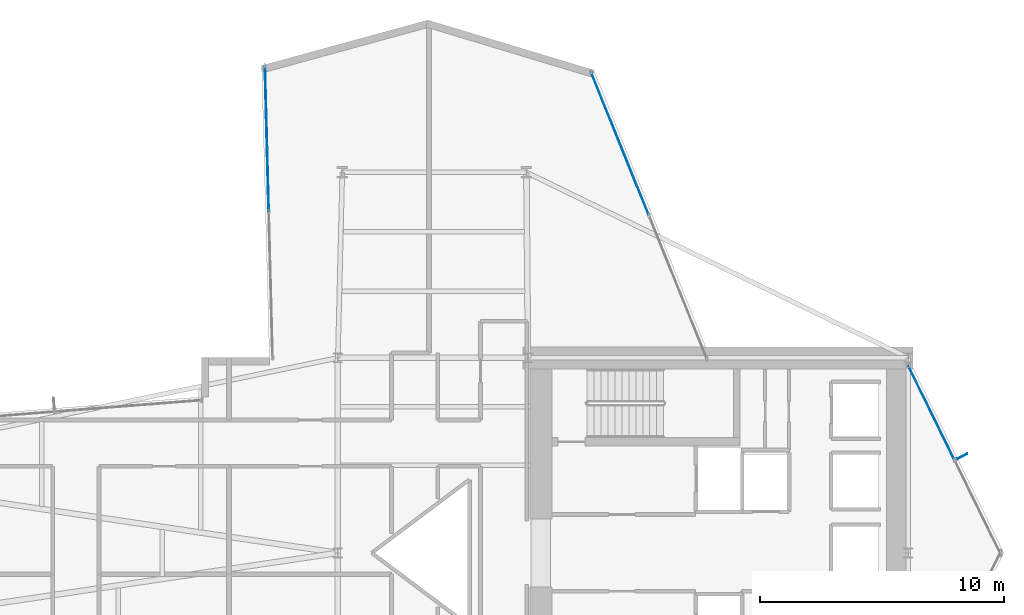
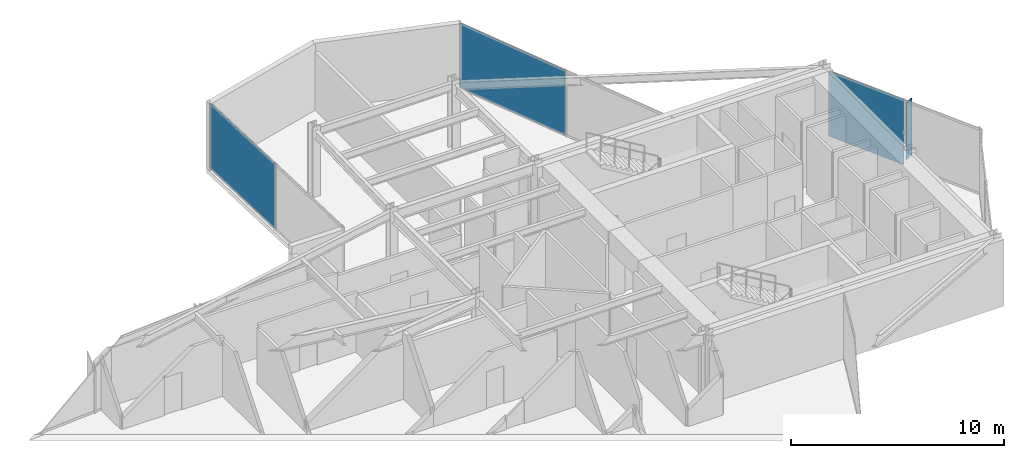
# One storey, part 26 of 30: 4 plates, 3 elements without a shape of their own.
"""IFC4 building model written with IfcOpenShell, lengths in metres."""

import ifcopenshell
import ifcopenshell.guid

model = None  # the IFC model being written
_history = None  # IfcOwnerHistory: only IFC2X3 demands one
_inside = {}  # id of a spatial element -> (the spatial element, [elements in it])
_under = {}  # id of a project, library or spatial element -> (it, [spatial elements below it])
_declared = {}  # id of a project -> (the project, [libraries it declares])
_typed = {}  # id of a type object -> (the type object, [elements of that type])
_made_of = {}  # id of a material, layer set ... -> (it, [elements and type objects made of it])


def new_model(schema):
    """Start an empty IFC model of exactly this schema.

    Asked for "IFC4X3", IfcOpenShell would pick the latest addendum, in which some entities
    have other attributes; the version numbers below select the first issue.
    IFC2X3 requires an IfcOwnerHistory on every rooted entity: one is made here for all.
    """
    global model, _history
    if schema == "IFC4X3":
        model = ifcopenshell.file(schema_version=(4, 3, 0, 0))
    else:
        model = ifcopenshell.file(schema=schema)
    _inside.clear()
    _under.clear()
    _declared.clear()
    _typed.clear()
    _made_of.clear()
    _history = None
    if model.schema == "IFC2X3":
        org = make("IfcOrganization", Name="unknown")
        user = make(
            "IfcPersonAndOrganization",
            ThePerson=make("IfcPerson", FamilyName="unknown"),
            TheOrganization=org,
        )
        app = make(
            "IfcApplication",
            ApplicationDeveloper=org,
            Version="unknown",
            ApplicationFullName="unknown",
            ApplicationIdentifier="unknown",
        )
        _history = make(
            "IfcOwnerHistory",
            OwningUser=user,
            OwningApplication=app,
            ChangeAction="ADDED",
            CreationDate=0,
        )
    return model


def make(cls, **values):
    """One entity of the class cls with the attributes given. An attribute that is None is left unset."""
    return model.create_entity(
        cls, **{name: value for name, value in values.items() if value is not None}
    )


def rooted(cls, **values):
    """An entity with a GlobalId (a new one), such as an element, a storey or a relation."""
    return make(cls, GlobalId=ifcopenshell.guid.new(), OwnerHistory=_history, **values)


def si_unit(unit_type, name, prefix=None):
    """IfcSIUnit, for example si_unit("LENGTHUNIT", "METRE", prefix="MILLI")."""
    return make("IfcSIUnit", UnitType=unit_type, Prefix=prefix, Name=name)


def assignment(units):
    """IfcUnitAssignment: the units of a project."""
    return None if units is None else make("IfcUnitAssignment", Units=units)


def point(xyz):
    """IfcCartesianPoint."""
    return None if xyz is None else make("IfcCartesianPoint", Coordinates=xyz)


def direction(xyz):
    """IfcDirection."""
    return None if xyz is None else make("IfcDirection", DirectionRatios=xyz)


def frame(location, z_axis=None, x_axis=None):
    """IfcAxis2Placement3D, a coordinate frame: its origin and axes. An axis left out is left unset."""
    return make(
        "IfcAxis2Placement3D",
        Location=point(location),
        Axis=direction(z_axis),
        RefDirection=direction(x_axis),
    )


def frame_2d(location, x_axis=None):
    """IfcAxis2Placement2D, a coordinate frame in the plane: its origin and x axis."""
    return make(
        "IfcAxis2Placement2D", Location=point(location), RefDirection=direction(x_axis)
    )


def origin():
    """The frame at (0, 0, 0) with its axes left unset."""
    return frame((0.0, 0.0, 0.0))


def origin_2d():
    """The frame at (0, 0) in the plane with its x axis left unset."""
    return frame_2d((0.0, 0.0))


def place(relative_to, where):
    """IfcLocalPlacement: puts the frame where relative to a parent placement (None: the world)."""
    return make(
        "IfcLocalPlacement", PlacementRelTo=relative_to, RelativePlacement=where
    )


def context(
    kind, dimensions, precision=None, world=None, true_north=None, identifier=None
):
    """IfcGeometricRepresentationContext, for example the 3D "Model" context."""
    return make(
        "IfcGeometricRepresentationContext",
        ContextIdentifier=identifier,
        ContextType=kind,
        CoordinateSpaceDimension=dimensions,
        Precision=precision,
        WorldCoordinateSystem=world,
        TrueNorth=true_north,
    )


def subcontext(parent, identifier, kind, view, scale=None):
    """IfcGeometricRepresentationSubContext, for example "Body" below "Model"."""
    return make(
        "IfcGeometricRepresentationSubContext",
        ContextIdentifier=identifier,
        ContextType=kind,
        ParentContext=parent,
        TargetScale=scale,
        TargetView=view,
    )


def project(units=None, contexts=None):
    """IfcProject with its units and contexts."""
    return rooted(
        "IfcProject",
        Name="project",
        RepresentationContexts=contexts,
        UnitsInContext=assignment(units),
    )


def spatial(cls, under=None, at=None, **own):
    """A site, building, storey or space (cls), placed at a placement, below another one or the project."""
    s = rooted(cls, ObjectPlacement=at, **own)
    if under is not None:
        _under.setdefault(under.id(), (under, []))[1].append(s)
    return s


def profile(cls, at=None, kind="AREA", **sizes):
    """A parametric profile (cls). Its sizes go by their IFC names, for example OverallWidth=200.0."""
    return make(cls, ProfileType=kind, Position=at, **sizes)


def rectangle(**sizes):
    """IfcRectangleProfileDef."""
    return profile("IfcRectangleProfileDef", **sizes)


def extrude(swept, where, along, depth):
    """IfcExtrudedAreaSolid: the profile swept, set in the frame where, extruded along a direction by depth."""
    return make(
        "IfcExtrudedAreaSolid",
        SweptArea=swept,
        Position=where,
        ExtrudedDirection=direction(along),
        Depth=depth,
    )


def shape(context_of_items, identifier, shape_type, items):
    """IfcShapeRepresentation: the items that make up one representation, for example the "Body"."""
    return make(
        "IfcShapeRepresentation",
        ContextOfItems=context_of_items,
        RepresentationIdentifier=identifier,
        RepresentationType=shape_type,
        Items=items,
    )


def material(Name=None, Category=None):
    """IfcMaterial."""
    return make("IfcMaterial", Name=Name, Category=Category)


def layer(
    of_material, thickness, ventilated=None, Name=None, Category=None, Priority=None
):
    """IfcMaterialLayer: one layer of a wall or slab, of a material (None: an air gap)."""
    return make(
        "IfcMaterialLayer",
        Material=of_material,
        LayerThickness=thickness,
        IsVentilated=ventilated,
        Name=Name,
        Category=Category,
        Priority=Priority,
    )


def layer_set(layers, Name=None):
    """IfcMaterialLayerSet."""
    return make("IfcMaterialLayerSet", MaterialLayers=layers, LayerSetName=Name)


def made_of(thing, what):
    """Note that an element or type object is made of a material, layer set ...; save() writes the relation."""
    if what is not None:
        _made_of.setdefault(what.id(), (what, []))[1].append(thing)
    return thing


def type_object(cls, material=None, **own):
    """A type object (cls), such as IfcWallType, which elements share."""
    return made_of(rooted(cls, **own), material)


def element(
    cls,
    number,
    at=None,
    inside=None,
    cuts=None,
    type_object=None,
    material=None,
    context=None,
    identifier="Body",
    shape_type=None,
    held_by="IfcProductDefinitionShape",
    body=None,
    shapes=None,
    **own,
):
    """One element of the class cls, such as IfcWall. Its Tag is "e" and its number.

    at: its placement. inside: the storey or other place that contains it. cuts: it is an
    opening in that element (IfcRelVoidsElement). A single representation is given by context,
    identifier, shape_type and body (its items); several are given by shapes. held_by: the class
    of the entity that holds the representations. save() writes the other relations.
    """
    e = rooted(cls, Tag="e%d" % number, ObjectPlacement=at, **own)
    if body is not None:
        shapes = [shape(context, identifier, shape_type, body)]
    if shapes is not None:
        e.Representation = make(held_by, Representations=shapes)
    if inside is not None:
        _inside.setdefault(inside.id(), (inside, []))[1].append(e)
    if cuts is not None:
        rooted(
            "IfcRelVoidsElement", RelatingBuildingElement=cuts, RelatedOpeningElement=e
        )
    if type_object is not None:
        _typed.setdefault(type_object.id(), (type_object, []))[1].append(e)
    return made_of(e, material)


def aggregate(whole, parts):
    """IfcRelAggregates: a whole, such as a stair, and the parts it consists of."""
    return rooted("IfcRelAggregates", RelatingObject=whole, RelatedObjects=parts)


def save(model, path):
    """Write the relations noted so far, then the file.

    IfcRelAggregates (storeys below a building ...), IfcRelContainedInSpatialStructure (elements
    in a storey), IfcRelDefinesByType, IfcRelAssociatesMaterial and IfcRelDeclares: one each for
    every whole, place, type object, material and project.
    """
    for whole, parts in _under.values():
        aggregate(whole, parts)
    for where, things in _inside.values():
        rooted(
            "IfcRelContainedInSpatialStructure",
            RelatedElements=things,
            RelatingStructure=where,
        )
    for kind, things in _typed.values():
        rooted("IfcRelDefinesByType", RelatedObjects=things, RelatingType=kind)
    for what, things in _made_of.values():
        rooted("IfcRelAssociatesMaterial", RelatedObjects=things, RelatingMaterial=what)
    for by, libraries in _declared.values():
        rooted("IfcRelDeclares", RelatingContext=by, RelatedDefinitions=libraries)
    model.write(path)


model = new_model("IFC4")

# Units and contexts
model_context = context("Model", 3, precision=1e-05, world=origin(), true_north=direction((0.0, 1.0)))
body_context = subcontext(model_context, "Body", "Model", "MODEL_VIEW")
ifc_project = project(units=[si_unit("LENGTHUNIT", "METRE"), si_unit("AREAUNIT", "SQUARE_METRE"), si_unit("VOLUMEUNIT", "CUBIC_METRE"), si_unit("PLANEANGLEUNIT", "RADIAN"), si_unit("MASSUNIT", "GRAM", prefix="KILO")], contexts=[model_context])

# Site, building, storey
site_placement = place(None, origin())
site = spatial("IfcSite", under=ifc_project, at=site_placement, CompositionType="ELEMENT")
building_placement = place(site_placement, origin())
building = spatial("IfcBuilding", under=site, at=building_placement, Name="Veymaron Broadcast Tower", CompositionType="ELEMENT")
storey_placement = place(building_placement, frame((0.0, 0.0, 66.14990234375)))
storey = spatial("IfcBuildingStorey", under=building, at=storey_placement, Name="L14", CompositionType="ELEMENT", Elevation=66.14990234375)

# Curtain wall, plate
ifc_material_1 = material(Name="Anodised aluminium AA 6063-T6 and laminated low-E dark glass", Category="aluminium")
ifc_layer_1 = layer(ifc_material_1, 0.179931640625)
ifc_layer_set_1 = layer_set([ifc_layer_1], Name="Anodised aluminium AA 6063-T6 and laminated low-E dark glass")
curtain_wall_type = type_object("IfcCurtainWallType", Name="CW-SYS-02", PredefinedType="NOTDEFINED", material=ifc_layer_set_1)
curtain_wall_1_placement = place(storey_placement, origin())
curtain_wall_1 = element("IfcCurtainWall", 1, at=curtain_wall_1_placement, inside=storey, type_object=curtain_wall_type, Name="L14 dark-glass curtain wall CW-L14-E3-1", PredefinedType="NOTDEFINED")
ifc_material_2 = material(Name="Double-silver solar-control dark glass IGU 32 mm", Category="glass")
ifc_layer_2 = layer(ifc_material_2, 0.031982421875)
ifc_layer_set_2 = layer_set([ifc_layer_2], Name="Double-silver solar-control dark glass IGU 32 mm")
plate_type_1 = type_object("IfcPlateType", Name="CW-PNL-02", PredefinedType="CURTAIN_PANEL", material=ifc_layer_set_2)
plate_1_placement = place(storey_placement, frame((55.55029296875, 29.74609375, 0.0400390625), z_axis=(0.0, 0.0, 1.0), x_axis=(-0.440644343304, 0.897681771406, 0.0)))
plate_1 = element("IfcPlate", 2, at=plate_1_placement, type_object=plate_type_1, Name="CW-L14-E3-1 unitised curtain panel 1", PredefinedType="CURTAIN_PANEL", context=body_context, shape_type="SweptSolid", body=[
    extrude(rectangle(XDim=4.253173828125, YDim=0.031982421875, at=origin_2d()), origin(), (0.0, 0.0, 1.0), 3.72998046875),
])
aggregate(curtain_wall_1, [plate_1])

curtain_wall_2_placement = place(storey_placement, origin())
curtain_wall_2 = element("IfcCurtainWall", 3, at=curtain_wall_2_placement, inside=storey, type_object=curtain_wall_type, Name="L14 dark-glass curtain wall CW-L14-E5-1", PredefinedType="NOTDEFINED")
plate_2_placement = place(storey_placement, frame((42.77197265625, 40.79296875, 0.0400390625), z_axis=(0.0, 0.0, 1.0), x_axis=(-0.374703685828, 0.927144620772, 0.0)))
plate_2 = element("IfcPlate", 4, at=plate_2_placement, type_object=plate_type_1, Name="CW-L14-E5-1 unitised curtain panel 1", PredefinedType="CURTAIN_PANEL", context=body_context, shape_type="SweptSolid", body=[
    extrude(rectangle(XDim=6.30029296875, YDim=0.031982421875, at=origin_2d()), origin(), (0.0, 0.0, 1.0), 3.72998046875),
])
aggregate(curtain_wall_2, [plate_2])

curtain_wall_3_placement = place(storey_placement, origin())
curtain_wall_3 = element("IfcCurtainWall", 5, at=curtain_wall_3_placement, inside=storey, type_object=curtain_wall_type, Name="L14 dark-glass curtain wall CW-L14-E8-1", PredefinedType="NOTDEFINED")
plate_3_placement = place(storey_placement, frame((28.29052734375, 40.989501953125, 0.0400390625), z_axis=(0.0, 0.0, 1.0), x_axis=(0.026299079294, -0.999654119397, 0.0)))
plate_3 = element("IfcPlate", 6, at=plate_3_placement, type_object=plate_type_1, Name="CW-L14-E8-1 unitised curtain panel 0", PredefinedType="CURTAIN_PANEL", context=body_context, shape_type="SweptSolid", body=[
    extrude(rectangle(XDim=5.9326171875, YDim=0.031982421875, at=origin_2d()), origin(), (0.0, 0.0, 1.0), 3.72998046875),
])
aggregate(curtain_wall_3, [plate_3])

# Plate
ifc_material_3 = material(Name="Dark-anodised aluminium AA 6061-T6", Category="aluminium")
ifc_layer_3 = layer(ifc_material_3, 0.034912109375)
ifc_layer_set_3 = layer_set([ifc_layer_3], Name="Dark-anodised aluminium AA 6061-T6")
plate_type_2 = type_object("IfcPlateType", Name="FIN-CHEV-01", PredefinedType="USERDEFINED", material=ifc_layer_set_3)
plate_4_placement = place(storey_placement, frame((56.8193359375, 27.966552734375, 0.2666015625), z_axis=(0.0, 0.0, 1.0), x_axis=(0.897681771406, 0.440644343304, 0.0)))
element("IfcPlate", 7, at=plate_4_placement, inside=storey, type_object=plate_type_2, Name="CW-L14-E3-1 chevron fin 1", ObjectType="FIN", PredefinedType="USERDEFINED", context=body_context, shape_type="SweptSolid", body=[
    extrude(rectangle(XDim=0.449951171875, YDim=0.034912109375, at=origin_2d()), origin(), (0.0, 0.0, 1.0), 3.276611328125),
])

save(model, "model.ifc")
